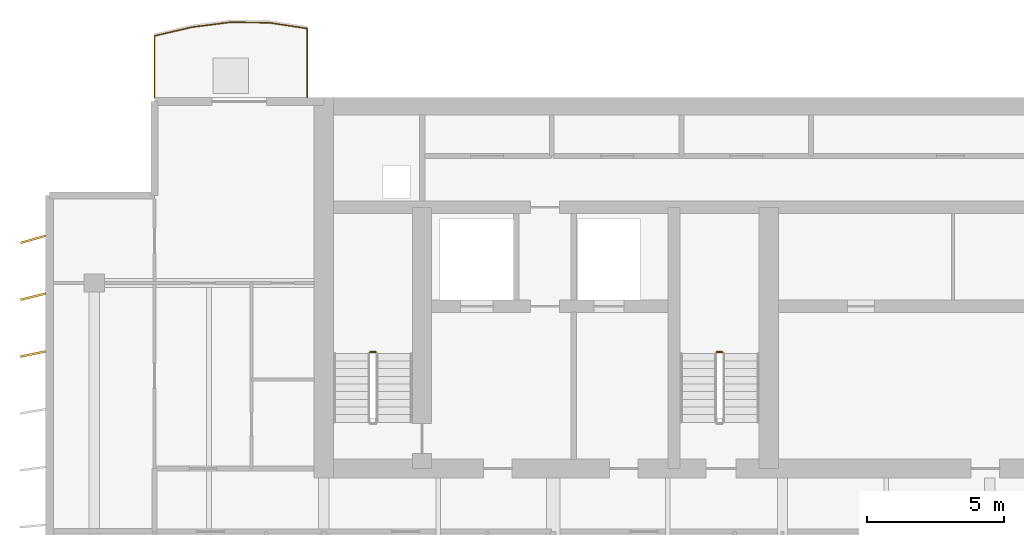
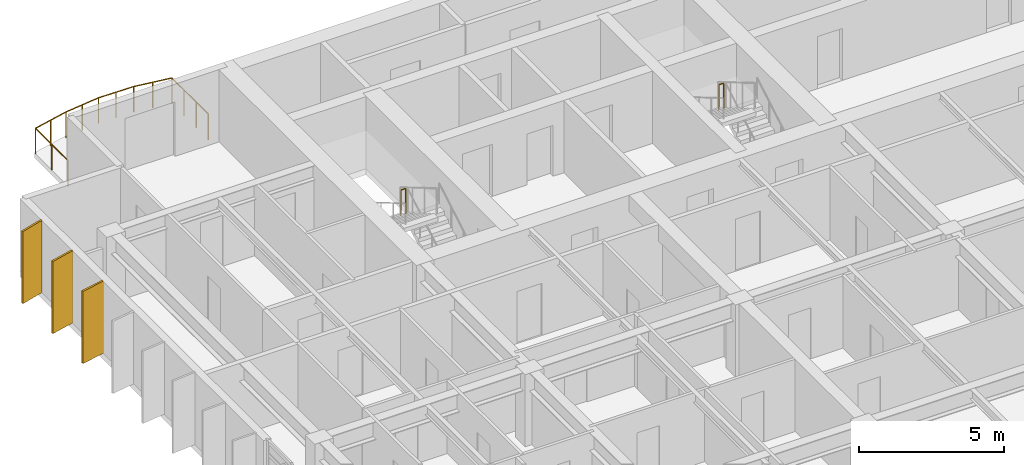
# One storey, part 15 of 16: 3 railings, 3 shading devices.
"""IFC4 building model written with IfcOpenShell, lengths in metres."""

from ifc_helpers import new_model, si_unit, direction, frame, origin, origin_2d, place, context, subcontext, project, spatial, rectangle, circle, extrude, material, material_profile, profile_set, type_object, element, save


model = new_model("IFC4")

# Units and contexts
model_context = context("Model", 3, precision=1e-05, world=origin(), true_north=direction((0.0, 1.0)))
body_context = subcontext(model_context, "Body", "Model", "MODEL_VIEW")
ifc_project = project(units=[si_unit("LENGTHUNIT", "METRE"), si_unit("AREAUNIT", "SQUARE_METRE"), si_unit("VOLUMEUNIT", "CUBIC_METRE"), si_unit("PLANEANGLEUNIT", "RADIAN"), si_unit("MASSUNIT", "GRAM", prefix="KILO")], contexts=[model_context])

# Site, building, storey
site_placement = place(None, origin())
site = spatial("IfcSite", under=ifc_project, at=site_placement, CompositionType="ELEMENT")
building_placement = place(site_placement, origin())
building = spatial("IfcBuilding", under=site, at=building_placement, Name="Caelmar Bay Residences", CompositionType="ELEMENT")
storey_placement = place(building_placement, frame((0.0, 0.0, 252.89990234375)))
storey = spatial("IfcBuildingStorey", under=building, at=storey_placement, Name="L71", CompositionType="ELEMENT", Elevation=252.89990234375)

# Railings
ifc_material_1 = material(Name="Anodised bronze handrail with laminated hurricane glass infill", Category="glass")
railing_type_1 = type_object("IfcRailingType", Name="RL-BAL-1100", PredefinedType="BALUSTRADE", material=ifc_material_1)
railing_placement = place(storey_placement, frame((17.699951171875, 50.60009765625, 0.0)))
element("IfcRailing", 1, at=railing_placement, inside=storey, type_object=railing_type_1, Name="L71 north_west Balcony Balustrade", PredefinedType="BALUSTRADE", context=body_context, shape_type="SweptSolid", body=[
    extrude(circle(Radius=0.02392578125, at=origin_2d()), frame((0.0, 0.0, 1.076171875), z_axis=(0.0, 1.0, 0.0), x_axis=(-1.0, 0.0, 0.0)), (0.0, 0.0, 1.0), 2.521728515625),
    extrude(circle(Radius=0.02392578125, at=origin_2d()), frame((0.0, 2.521728515625, 1.076171875), z_axis=(-0.988786598686, 0.149335401894, 0.0), x_axis=(-0.149335401894, -0.988786598686, 0.0)), (0.0, 0.0, 1.0), 1.415771484375),
    extrude(circle(Radius=0.02392578125, at=origin_2d()), frame((-1.39990234375, 2.733154296875, 1.076171875), z_axis=(-0.999895289284, 0.014471021623, 0.0), x_axis=(-0.014471021623, -0.999895289284, 0.0)), (0.0, 0.0, 1.0), 1.400390625),
    extrude(circle(Radius=0.02392578125, at=origin_2d()), frame((-2.800048828125, 2.75341796875, 1.076171875), z_axis=(-0.992187101504, -0.124758789708, 0.0), x_axis=(0.124758789708, -0.992187101504, 0.0)), (0.0, 0.0, 1.0), 1.410888671875),
    extrude(circle(Radius=0.02392578125, at=origin_2d()), frame((-4.199951171875, 2.577392578125, 1.076171875), z_axis=(-0.973988849796, -0.226595940989, 0.0), x_axis=(0.226595940989, -0.973988849796, 0.0)), (0.0, 0.0, 1.0), 1.437255859375),
    extrude(circle(Radius=0.02392578125, at=origin_2d()), frame((-5.599853515625, 2.251708984375, 1.076171875), z_axis=(0.0, -1.0, 0.0), x_axis=(1.0, 0.0, 0.0)), (0.0, 0.0, 1.0), 2.251708984375),
    extrude(circle(Radius=0.02099609375, at=origin_2d()), origin(), (0.0, 0.0, 1.0), 1.052001953125),
    extrude(circle(Radius=0.02099609375, at=origin_2d()), frame((0.0, 0.840576171875, 0.0)), (0.0, 0.0, 1.0), 1.052001953125),
    extrude(circle(Radius=0.02099609375, at=origin_2d()), frame((0.0, 1.68115234375, 0.0)), (0.0, 0.0, 1.0), 1.052001953125),
    extrude(circle(Radius=0.02099609375, at=origin_2d()), frame((0.0, 2.521728515625, 0.0)), (0.0, 0.0, 1.0), 1.052001953125),
    extrude(circle(Radius=0.02099609375, at=origin_2d()), frame((-0.699951171875, 2.62744140625, 0.0)), (0.0, 0.0, 1.0), 1.052001953125),
    extrude(circle(Radius=0.02099609375, at=origin_2d()), frame((-1.39990234375, 2.733154296875, 0.0)), (0.0, 0.0, 1.0), 1.052001953125),
    extrude(circle(Radius=0.02099609375, at=origin_2d()), frame((-2.10009765625, 2.7431640625, 0.0)), (0.0, 0.0, 1.0), 1.052001953125),
    extrude(circle(Radius=0.02099609375, at=origin_2d()), frame((-2.800048828125, 2.75341796875, 0.0)), (0.0, 0.0, 1.0), 1.052001953125),
    extrude(circle(Radius=0.02099609375, at=origin_2d()), frame((-3.5, 2.66552734375, 0.0)), (0.0, 0.0, 1.0), 1.052001953125),
    extrude(circle(Radius=0.02099609375, at=origin_2d()), frame((-4.199951171875, 2.577392578125, 0.0)), (0.0, 0.0, 1.0), 1.052001953125),
    extrude(circle(Radius=0.02099609375, at=origin_2d()), frame((-4.89990234375, 2.41455078125, 0.0)), (0.0, 0.0, 1.0), 1.052001953125),
    extrude(circle(Radius=0.02099609375, at=origin_2d()), frame((-5.599853515625, 2.251708984375, 0.0)), (0.0, 0.0, 1.0), 1.052001953125),
    extrude(circle(Radius=0.02099609375, at=origin_2d()), frame((-5.599853515625, 1.1259765625, 0.0)), (0.0, 0.0, 1.0), 1.052001953125),
    extrude(circle(Radius=0.02099609375, at=origin_2d()), frame((-5.599853515625, 0.0, 0.0)), (0.0, 0.0, 1.0), 1.052001953125),
])
ifc_material_2 = material(Name="Painted galvanized steel stair guard 1100 mm", Category="steel")
railing_type_2 = type_object("IfcRailingType", Name="RL-GRD-1100", PredefinedType="GUARDRAIL", material=ifc_material_2)
for number, where, name in (
    (2, (20.199951171875, 41.27001953125, 1.650146484375), "L71 ST1 stair guard 2"),
    (3, (32.89990234375, 41.27001953125, 1.650146484375), "L71 ST3 stair guard 2"),
):
    element("IfcRailing", number, at=place(storey_placement, frame(where)), inside=storey, type_object=railing_type_2, Name=name, PredefinedType="GUARDRAIL", context=body_context, shape_type="SweptSolid", body=[
        extrude(circle(Radius=0.02392578125, at=origin_2d()), frame((0.0, 0.0, 1.076171875), z_axis=(-1.0, 0.0, 0.0), x_axis=(0.0, -1.0, 0.0)), (0.0, 0.0, 1.0), 0.199951171875),
        extrude(circle(Radius=0.02099609375, at=origin_2d()), origin(), (0.0, 0.0, 1.0), 1.052001953125),
        extrude(circle(Radius=0.02099609375, at=origin_2d()), frame((-0.199951171875, 0.0, 0.0)), (0.0, 0.0, 1.0), 1.052001953125),
    ])

# Shading devices
ifc_material_3 = material(Name="Anodised architectural bronze aluminium 6063-T6", Category="aluminium")
ifc_material_profile = material_profile(ifc_material_3, rectangle(XDim=0.074951171875, YDim=0.949951171875, at=origin_2d()), Name="BRONZE-FIN-75X950")
ifc_profile_set = profile_set([ifc_material_profile], Name="Anodised architectural bronze aluminium 6063-T6")
shading_device_type = type_object("IfcShadingDeviceType", Name="SHD-FIN-950", PredefinedType="USERDEFINED", material=ifc_profile_set)
for number, where, z_axis, x_axis, name in (
    (4, (7.64990234375, 41.199951171875, 0.0), (0.0, 0.0, 1.0), (-0.2032999874, 0.979116497217, 0.0), "L71 West Bronze Solar Fin 14"),
    (5, (7.64990234375, 43.300048828125, 0.0), (0.0, 0.0, 1.0), (-0.239719743609, 0.970842131618, 0.0), "L71 West Bronze Solar Fin 15"),
    (6, (7.64990234375, 45.39990234375, 0.0), (0.0, 0.0, 1.0), (-0.275637355817, 0.961261695938, 0.0), "L71 West Bronze Solar Fin 16"),
):
    element("IfcShadingDevice", number, at=place(storey_placement, frame(where, z_axis=z_axis, x_axis=x_axis)), inside=storey, type_object=shading_device_type, Name=name, ObjectType="FIN", PredefinedType="USERDEFINED", context=body_context, shape_type="SweptSolid", body=[
        extrude(rectangle(XDim=0.074951171875, YDim=0.949951171875, at=origin_2d()), origin(), (0.0, 0.0, 1.0), 3.050048828125),
    ])

save(model, "model.ifc")
